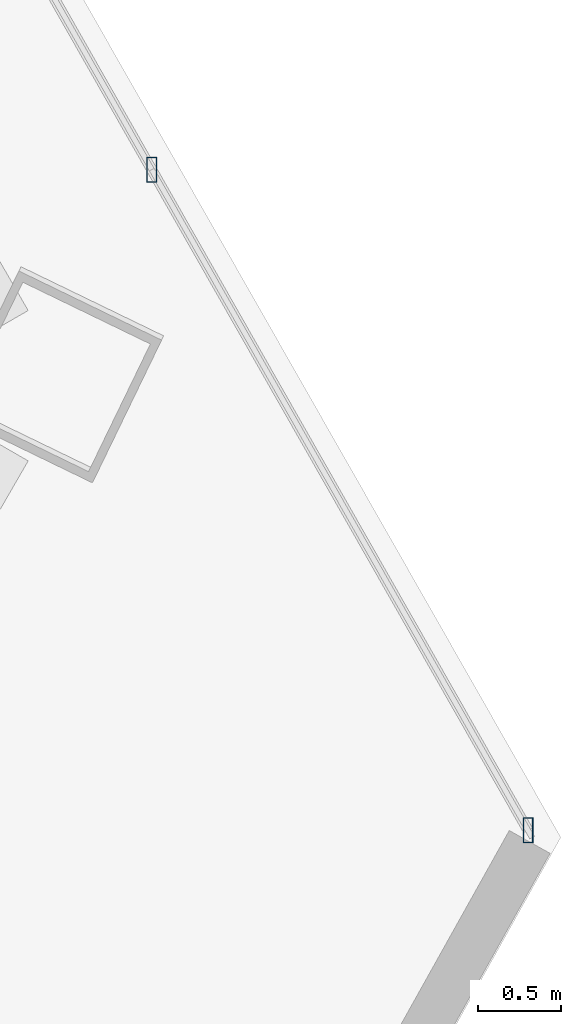
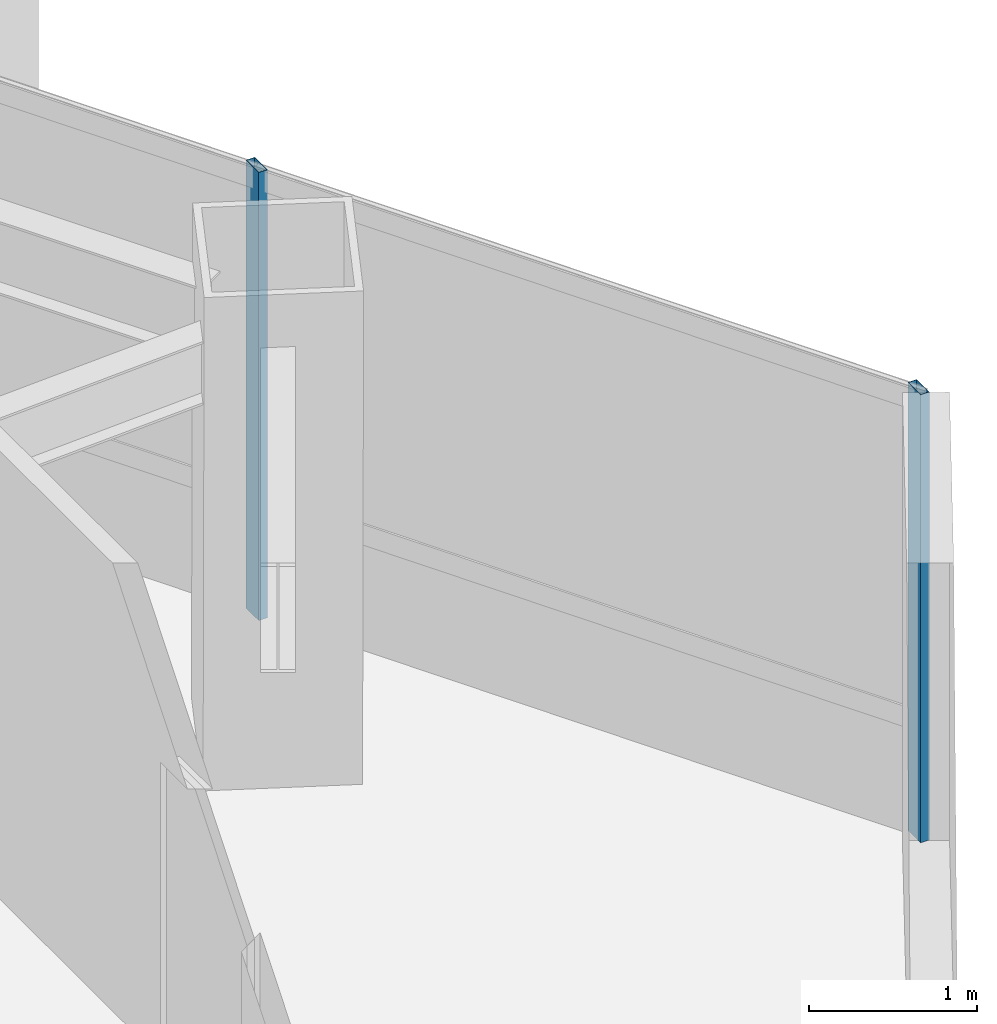
# One storey, part 21 of 40: 2 members, 1 element without a shape of its own.
"""IFC4 building model written with IfcOpenShell, lengths in metres."""

from ifc_helpers import new_model, si_unit, direction, frame, origin, origin_2d, place, context, subcontext, project, spatial, hollow_rectangle, extrude, source, transform, mapped, material, material_profile, profile_set, type_object, type_shapes, element, aggregate, save


model = new_model("IFC4")

# Units and contexts
model_context = context("Model", 3, precision=1e-05, world=origin(), true_north=direction((0.0, 1.0)))
body_context = subcontext(model_context, "Body", "Model", "MODEL_VIEW")
ifc_project = project(units=[si_unit("LENGTHUNIT", "METRE"), si_unit("AREAUNIT", "SQUARE_METRE"), si_unit("VOLUMEUNIT", "CUBIC_METRE"), si_unit("PLANEANGLEUNIT", "RADIAN"), si_unit("MASSUNIT", "GRAM", prefix="KILO")], contexts=[model_context])

# Site, building, storey
site_placement = place(None, origin())
site = spatial("IfcSite", under=ifc_project, at=site_placement, CompositionType="ELEMENT")
building_placement = place(site_placement, origin())
building = spatial("IfcBuilding", under=site, at=building_placement, Name="Caelisora Broadcast Tower", CompositionType="ELEMENT")
storey_placement = place(building_placement, frame((0.0, 0.0, 146.39990234375)))
storey = spatial("IfcBuildingStorey", under=building, at=storey_placement, Name="L38", CompositionType="ELEMENT", Elevation=146.39990234375)

# Curtain wall, members
ifc_material_1 = material(Name="Unitised Aluminium and Low-E Glass Curtain Wall", Category="glass")
curtain_wall_type = type_object("IfcCurtainWallType", Name="CW-Z3", PredefinedType="NOTDEFINED", material=ifc_material_1)
curtain_wall_placement = place(storey_placement, origin())
curtain_wall = element("IfcCurtainWall", 1, at=curtain_wall_placement, inside=storey, type_object=curtain_wall_type, Name="L38 curtain wall CW-Z3", PredefinedType="NOTDEFINED")
ifc_material_2 = material(Name="Aluminium 6063-T6 Anodised Terracotta Bronze", Category="aluminium")
ifc_material_profile = material_profile(ifc_material_2, hollow_rectangle(XDim=0.06005859375, YDim=0.14990234375, WallThickness=0.00341796875, at=origin_2d()), Name="Aluminium 6063-T6 Anodised Terracotta Bronze")
ifc_profile_set = profile_set([ifc_material_profile], Name="Aluminium 6063-T6 Anodised Terracotta Bronze")
member_type = type_object("IfcMemberType", Name="CWM-03", PredefinedType="MULLION", material=ifc_profile_set)
shared_shape = source(origin(), body_context, "Body", "SweptSolid", [
    extrude(hollow_rectangle(XDim=0.06005859375, YDim=0.14990234375, WallThickness=0.00341796875, at=origin_2d()), origin(), (0.0, 0.0, 1.0), 3.25),
])
type_shapes(member_type, [shared_shape])
member_1_placement = place(storey_placement, frame((61.269287109375, 19.58203125, 0.0), z_axis=(0.0, 0.0, 1.0), x_axis=(1.0, 0.0, 0.0)))
member_1 = element("IfcMember", 2, at=member_1_placement, type_object=member_type, Name="L38-CW-B03 mullion #2", PredefinedType="MULLION", context=body_context, shape_type="MappedRepresentation", body=[
    mapped(shared_shape, transform((0.0, 0.0, 0.0), scale=1.0)),
])
member_2_placement = place(storey_placement, frame((63.5244140625, 15.622314453125, 0.0), z_axis=(0.0, 0.0, 1.0), x_axis=(1.0, 0.0, 0.0)))
member_2 = element("IfcMember", 3, at=member_2_placement, type_object=member_type, Name="L38-CW-B03 mullion #3", PredefinedType="MULLION", context=body_context, shape_type="MappedRepresentation", body=[
    mapped(shared_shape, transform((0.0, 0.0, 0.0), scale=1.0)),
])
aggregate(curtain_wall, [member_1, member_2])

save(model, "model.ifc")
